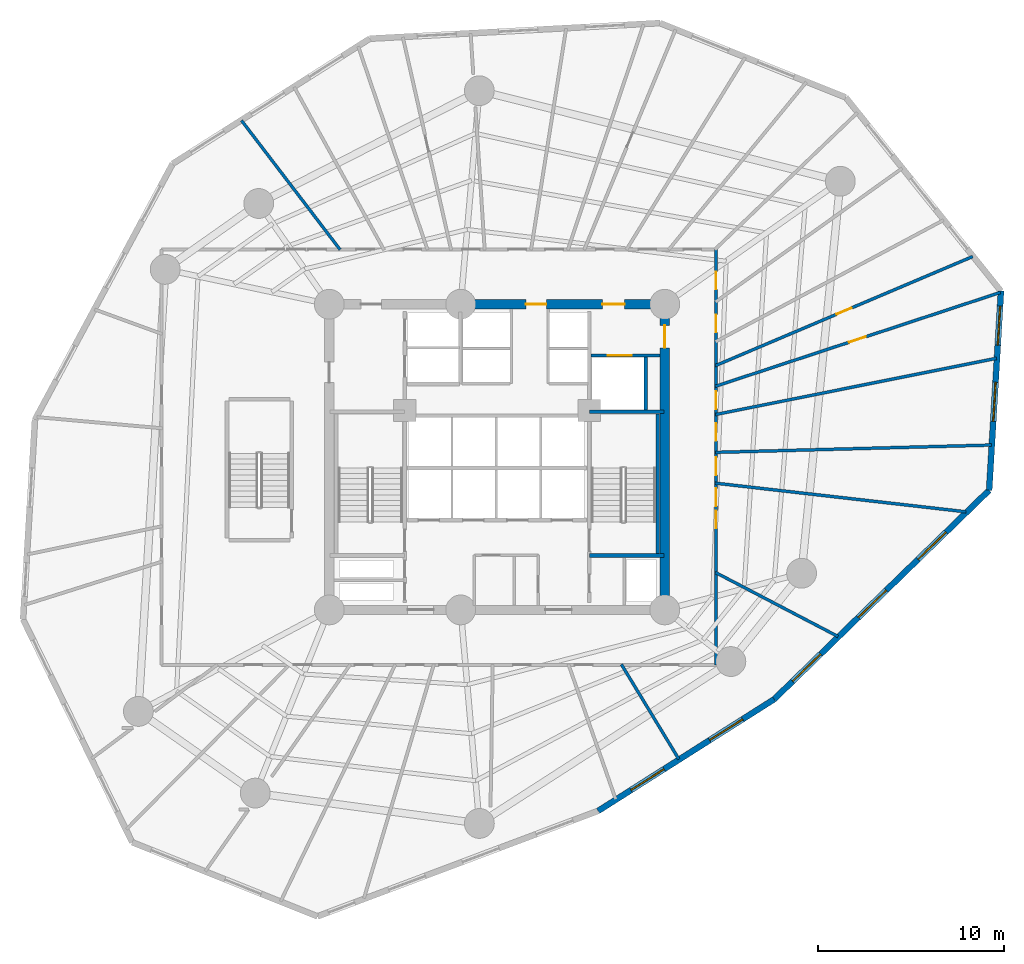
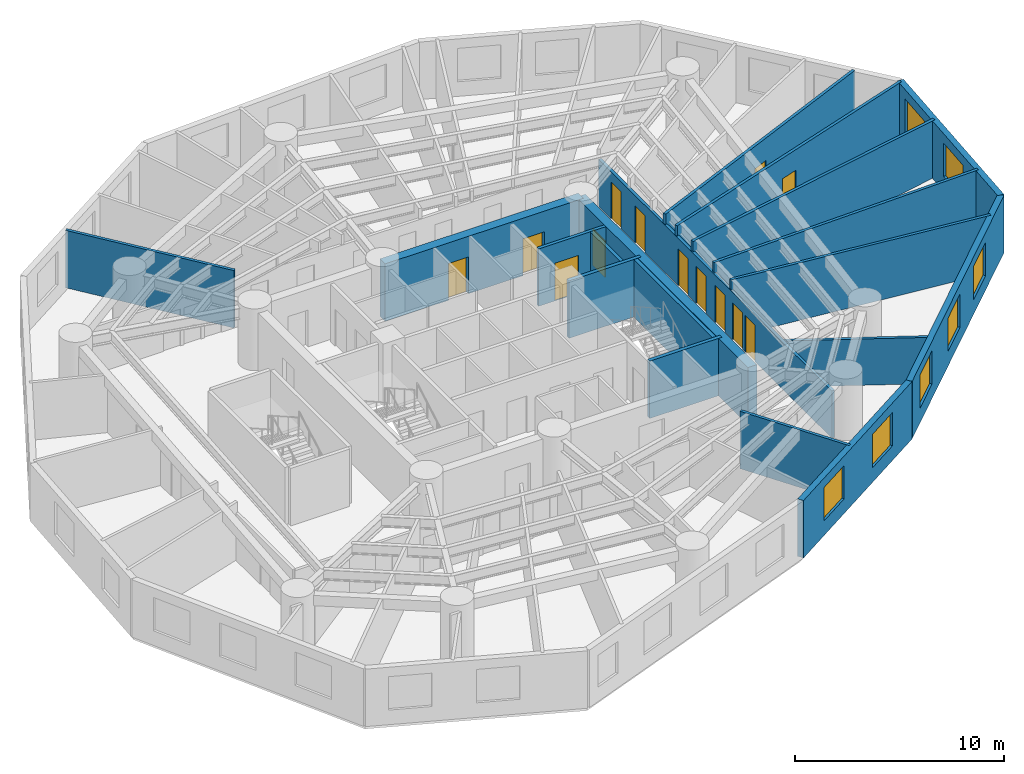
# One storey, part 5 of 8: 19 walls, 13 doors, 7 windows, 20 openings.
"""IFC4 building model written with IfcOpenShell, lengths in metres."""

from ifc_helpers import new_model, si_unit, direction, frame, frame_2d, origin, origin_with_axes, place, context, subcontext, project, spatial, rectangle, extrude, source, transform, mapped, material, layer, layer_set, type_object, element, fill, save


model = new_model("IFC4")

# Units and contexts
model_context = context("Model", 3, precision=1e-05, world=origin(), true_north=direction((0.0, 1.0)))
body_context = subcontext(model_context, "Body", "Model", "MODEL_VIEW")
ifc_project = project(units=[si_unit("LENGTHUNIT", "METRE"), si_unit("AREAUNIT", "SQUARE_METRE"), si_unit("VOLUMEUNIT", "CUBIC_METRE"), si_unit("PLANEANGLEUNIT", "RADIAN"), si_unit("MASSUNIT", "GRAM", prefix="KILO")], contexts=[model_context])

# Site, building, storey
site_placement = place(None, origin())
site = spatial("IfcSite", under=ifc_project, at=site_placement, CompositionType="ELEMENT")
building_placement = place(site_placement, origin())
building = spatial("IfcBuilding", under=site, at=building_placement, Name="Karkom Vertical University and Central Library", CompositionType="ELEMENT")
storey_placement = place(building_placement, frame((0.0, 0.0, 37.300048828125)))
storey = spatial("IfcBuildingStorey", under=building, at=storey_placement, Name="L09", CompositionType="ELEMENT", Elevation=37.300048828125)

# Wall, openings, windows
ifc_material_1 = material(Name="Brick-faced precast concrete C45/55", Category="masonry")
ifc_layer_1 = layer(ifc_material_1, 0.320068359375)
ifc_layer_set_1 = layer_set([ifc_layer_1], Name="Brick-faced precast concrete C45/55")
wall_type_1 = type_object("IfcWallType", Name="ENV-WL-BRK-320", PredefinedType="SOLIDWALL", material=ifc_layer_set_1)
wall_1_placement = place(storey_placement, frame((33.925048828125, 7.512451171875, 0.0), z_axis=(0.0, 0.0, 1.0), x_axis=(0.84433568587, 0.535814566401, 0.0)))
wall_1 = element("IfcWall", 1, at=wall_1_placement, inside=storey, type_object=wall_type_1, Name="Level 09 Brick-Faced Precast Facade Wall 07", PredefinedType="SOLIDWALL", context=body_context, shape_type="SweptSolid", body=[
    extrude(rectangle(XDim=11.18701171875, YDim=0.320068359375, at=frame_2d((5.593505859375, 0.0))), origin(), (0.0, 0.0, 1.0), 3.349853515625),
])
opening_1_placement = place(wall_1_placement, frame((2.09423828125, 0.0, 0.85009765625)))
opening_1 = element("IfcOpeningElement", 2, at=opening_1_placement, cuts=wall_1, Name="Opening WN-03", PredefinedType="OPENING", context=body_context, shape_type="SweptSolid", body=[
    extrude(rectangle(XDim=2.10009765625, YDim=1.949951171875, at=frame_2d((1.050048828125, 0.97509765625))), frame((0.0, 0.169921875, 0.0), z_axis=(0.0, -1.0, 0.0), x_axis=(1.0, 0.0, 0.0)), (0.0, 0.0, 1.0), 0.340087890625),
])
opening_2_placement = place(wall_1_placement, frame((7.0869140625, 0.0, 0.85009765625)))
opening_2 = element("IfcOpeningElement", 3, at=opening_2_placement, cuts=wall_1, Name="Opening WN-03", PredefinedType="OPENING", context=body_context, shape_type="SweptSolid", body=[
    extrude(rectangle(XDim=2.10009765625, YDim=1.949951171875, at=frame_2d((1.050048828125, 0.97509765625))), frame((0.0, 0.169921875, 0.0), z_axis=(0.0, -1.0, 0.0), x_axis=(1.0, 0.0, 0.0)), (0.0, 0.0, 1.0), 0.340087890625),
])
ifc_material_2 = material(Name="Aluminium thermal-break frame with solar-control IGU", Category="aluminium")
window_type = type_object("IfcWindowType", Name="ENV-WIN-WN-03", PartitioningType="SINGLE_PANEL", PredefinedType="WINDOW", material=ifc_material_2)
shared_shape_1 = source(origin_with_axes(), body_context, "Body", "SweptSolid", [
    extrude(rectangle(XDim=2.10009765625, YDim=1.949951171875, at=frame_2d((1.050048828125, 0.97509765625))), frame((0.0, 0.030029296875, 0.0), z_axis=(0.0, -1.0, 0.0), x_axis=(1.0, 0.0, 0.0)), (0.0, 0.0, 1.0), 0.06005859375),
])
window_1_placement = place(opening_1_placement, origin())
window_1 = element("IfcWindow", 4, at=window_1_placement, inside=storey, type_object=window_type, Name="Level 09 Punched Window 7.1", OverallHeight=1.949951171875, OverallWidth=2.10009765625, PartitioningType="SINGLE_PANEL", PredefinedType="WINDOW", context=body_context, shape_type="MappedRepresentation", body=[
    mapped(shared_shape_1, transform((0.0, 0.0, 0.0), scale=1.0)),
])
fill(opening_1, window_1)
window_2_placement = place(opening_2_placement, origin())
window_2 = element("IfcWindow", 5, at=window_2_placement, inside=storey, type_object=window_type, Name="Level 09 Punched Window 7.2", OverallHeight=1.949951171875, OverallWidth=2.10009765625, PartitioningType="SINGLE_PANEL", PredefinedType="WINDOW", context=body_context, shape_type="MappedRepresentation", body=[
    mapped(shared_shape_1, transform((0.0, 0.0, 0.0), scale=1.0)),
])
fill(opening_2, window_2)

wall_2_placement = place(storey_placement, frame((43.37060546875, 13.506591796875, 0.0), z_axis=(0.0, 0.0, 1.0), x_axis=(0.717022520436, 0.697050001928, 0.0)))
wall_2 = element("IfcWall", 6, at=wall_2_placement, inside=storey, type_object=wall_type_1, Name="Level 09 Brick-Faced Precast Facade Wall 08", PredefinedType="SOLIDWALL", context=body_context, shape_type="SweptSolid", body=[
    extrude(rectangle(XDim=16.086669921875, YDim=0.320068359375, at=frame_2d((8.04345703125, 0.0))), origin(), (0.0, 0.0, 1.0), 3.349853515625),
])
opening_3_placement = place(wall_2_placement, frame((1.375732421875, 0.0, 0.85009765625)))
opening_3 = element("IfcOpeningElement", 7, at=opening_3_placement, cuts=wall_2, Name="Opening WN-03", PredefinedType="OPENING", context=body_context, shape_type="SweptSolid", body=[
    extrude(rectangle(XDim=2.10009765625, YDim=1.949951171875, at=frame_2d((1.050048828125, 0.97509765625))), frame((0.0, 0.169921875, 0.0), z_axis=(0.0, -1.0, 0.0), x_axis=(1.0, 0.0, 0.0)), (0.0, 0.0, 1.0), 0.340087890625),
])
opening_4_placement = place(wall_2_placement, frame((6.294921875, 0.0, 0.85009765625)))
opening_4 = element("IfcOpeningElement", 8, at=opening_4_placement, cuts=wall_2, Name="Opening WN-03", PredefinedType="OPENING", context=body_context, shape_type="SweptSolid", body=[
    extrude(rectangle(XDim=2.10009765625, YDim=1.949951171875, at=frame_2d((1.050048828125, 0.97509765625))), frame((0.0, 0.169921875, 0.0), z_axis=(0.0, -1.0, 0.0), x_axis=(1.0, 0.0, 0.0)), (0.0, 0.0, 1.0), 0.340087890625),
])
opening_5_placement = place(wall_2_placement, frame((10.761962890625, 0.0, 0.85009765625)))
opening_5 = element("IfcOpeningElement", 9, at=opening_5_placement, cuts=wall_2, Name="Opening WN-03", PredefinedType="OPENING", context=body_context, shape_type="SweptSolid", body=[
    extrude(rectangle(XDim=2.10009765625, YDim=1.949951171875, at=frame_2d((1.050048828125, 0.97509765625))), frame((0.0, 0.169921875, 0.0), z_axis=(0.0, -1.0, 0.0), x_axis=(1.0, 0.0, 0.0)), (0.0, 0.0, 1.0), 0.340087890625),
])
window_3_placement = place(opening_3_placement, origin())
window_3 = element("IfcWindow", 10, at=window_3_placement, inside=storey, type_object=window_type, Name="Level 09 Punched Window 8.1", OverallHeight=1.949951171875, OverallWidth=2.10009765625, PartitioningType="SINGLE_PANEL", PredefinedType="WINDOW", context=body_context, shape_type="MappedRepresentation", body=[
    mapped(shared_shape_1, transform((0.0, 0.0, 0.0), scale=1.0)),
])
fill(opening_3, window_3)
window_4_placement = place(opening_4_placement, origin())
window_4 = element("IfcWindow", 11, at=window_4_placement, inside=storey, type_object=window_type, Name="Level 09 Punched Window 8.2", OverallHeight=1.949951171875, OverallWidth=2.10009765625, PartitioningType="SINGLE_PANEL", PredefinedType="WINDOW", context=body_context, shape_type="MappedRepresentation", body=[
    mapped(shared_shape_1, transform((0.0, 0.0, 0.0), scale=1.0)),
])
fill(opening_4, window_4)
window_5_placement = place(opening_5_placement, origin())
window_5 = element("IfcWindow", 12, at=window_5_placement, inside=storey, type_object=window_type, Name="Level 09 Punched Window 8.3", OverallHeight=1.949951171875, OverallWidth=2.10009765625, PartitioningType="SINGLE_PANEL", PredefinedType="WINDOW", context=body_context, shape_type="MappedRepresentation", body=[
    mapped(shared_shape_1, transform((0.0, 0.0, 0.0), scale=1.0)),
])
fill(opening_5, window_5)

wall_3_placement = place(storey_placement, frame((54.905029296875, 24.7197265625, 0.0), z_axis=(0.0, 0.0, 1.0), x_axis=(0.059387539257, 0.998235002482, 0.0)))
wall_3 = element("IfcWall", 13, at=wall_3_placement, inside=storey, type_object=wall_type_1, Name="Level 09 Brick-Faced Precast Facade Wall 09", PredefinedType="SOLIDWALL", context=body_context, shape_type="SweptSolid", body=[
    extrude(rectangle(XDim=10.708984375, YDim=0.320068359375, at=frame_2d((5.3544921875, 0.0))), origin(), (0.0, 0.0, 1.0), 3.349853515625),
])
opening_6_placement = place(wall_3_placement, frame((3.703125, 0.0, 0.85009765625)))
opening_6 = element("IfcOpeningElement", 14, at=opening_6_placement, cuts=wall_3, Name="Opening WN-03", PredefinedType="OPENING", context=body_context, shape_type="SweptSolid", body=[
    extrude(rectangle(XDim=2.10009765625, YDim=1.949951171875, at=frame_2d((1.050048828125, 0.97509765625))), frame((0.0, 0.169921875, 0.0), z_axis=(0.0, -1.0, 0.0), x_axis=(1.0, 0.0, 0.0)), (0.0, 0.0, 1.0), 0.340087890625),
])
opening_7_placement = place(wall_3_placement, frame((7.800537109375, 0.0, 0.85009765625)))
opening_7 = element("IfcOpeningElement", 15, at=opening_7_placement, cuts=wall_3, Name="Opening WN-03", PredefinedType="OPENING", context=body_context, shape_type="SweptSolid", body=[
    extrude(rectangle(XDim=2.10009765625, YDim=1.949951171875, at=frame_2d((1.050048828125, 0.97509765625))), frame((0.0, 0.169921875, 0.0), z_axis=(0.0, -1.0, 0.0), x_axis=(1.0, 0.0, 0.0)), (0.0, 0.0, 1.0), 0.340087890625),
])
window_6_placement = place(opening_6_placement, origin())
window_6 = element("IfcWindow", 16, at=window_6_placement, inside=storey, type_object=window_type, Name="Level 09 Punched Window 9.1", OverallHeight=1.949951171875, OverallWidth=2.10009765625, PartitioningType="SINGLE_PANEL", PredefinedType="WINDOW", context=body_context, shape_type="MappedRepresentation", body=[
    mapped(shared_shape_1, transform((0.0, 0.0, 0.0), scale=1.0)),
])
fill(opening_6, window_6)
window_7_placement = place(opening_7_placement, origin())
window_7 = element("IfcWindow", 17, at=window_7_placement, inside=storey, type_object=window_type, Name="Level 09 Punched Window 9.2", OverallHeight=1.949951171875, OverallWidth=2.10009765625, PartitioningType="SINGLE_PANEL", PredefinedType="WINDOW", context=body_context, shape_type="MappedRepresentation", body=[
    mapped(shared_shape_1, transform((0.0, 0.0, 0.0), scale=1.0)),
])
fill(opening_7, window_7)

# Wall, openings, doors
ifc_material_3 = material(Name="Insulated metal-stud drywall 160mm", Category="gypsum")
ifc_layer_2 = layer(ifc_material_3, 0.159912109375)
ifc_layer_set_2 = layer_set([ifc_layer_2], Name="Insulated metal-stud drywall 160mm")
wall_type_2 = type_object("IfcWallType", Name="INT-WL-COR-160", PredefinedType="PARTITIONING", material=ifc_layer_set_2)
wall_4_placement = place(storey_placement, frame((40.25, 37.64990234375, 0.0), z_axis=(0.0, 0.0, 1.0), x_axis=(0.0, -1.0, 0.0)))
wall_4 = element("IfcWall", 18, at=wall_4_placement, inside=storey, type_object=wall_type_2, Name="Level 09 Interior Partition Wall Level 09-CORW-CW-004", PredefinedType="PARTITIONING", context=body_context, shape_type="SweptSolid", body=[
    extrude(rectangle(XDim=22.2998046875, YDim=0.159912109375, at=frame_2d((11.14990234375, 0.0))), origin(), (0.0, 0.0, 1.0), 2.75),
])
opening_8_placement = place(wall_4_placement, frame((14.02001953125, 0.0, 0.0)))
opening_8 = element("IfcOpeningElement", 19, at=opening_8_placement, cuts=wall_4, Name="Opening D-RM1", PredefinedType="OPENING", context=body_context, shape_type="SweptSolid", body=[
    extrude(rectangle(XDim=0.949951171875, YDim=2.14990234375, at=frame_2d((0.47509765625, 1.074951171875))), frame((0.0, 0.08984375, 0.0), z_axis=(0.0, -1.0, 0.0), x_axis=(1.0, 0.0, 0.0)), (0.0, 0.0, 1.0), 0.179931640625),
])
opening_9_placement = place(wall_4_placement, frame((11.1650390625, 0.0, 0.0)))
opening_9 = element("IfcOpeningElement", 20, at=opening_9_placement, cuts=wall_4, Name="Opening D-RM1", PredefinedType="OPENING", context=body_context, shape_type="SweptSolid", body=[
    extrude(rectangle(XDim=0.949951171875, YDim=2.14990234375, at=frame_2d((0.47509765625, 1.074951171875))), frame((0.0, 0.08984375, 0.0), z_axis=(0.0, -1.0, 0.0), x_axis=(1.0, 0.0, 0.0)), (0.0, 0.0, 1.0), 0.179931640625),
])
opening_10_placement = place(wall_4_placement, frame((9.335205078125, 0.0, 0.0)))
opening_10 = element("IfcOpeningElement", 21, at=opening_10_placement, cuts=wall_4, Name="Opening D-RM1", PredefinedType="OPENING", context=body_context, shape_type="SweptSolid", body=[
    extrude(rectangle(XDim=0.949951171875, YDim=2.14990234375, at=frame_2d((0.47509765625, 1.074951171875))), frame((0.0, 0.08984375, 0.0), z_axis=(0.0, -1.0, 0.0), x_axis=(1.0, 0.0, 0.0)), (0.0, 0.0, 1.0), 0.179931640625),
])
opening_11_placement = place(wall_4_placement, frame((7.6201171875, 0.0, 0.0)))
opening_11 = element("IfcOpeningElement", 22, at=opening_11_placement, cuts=wall_4, Name="Opening D-RM1", PredefinedType="OPENING", context=body_context, shape_type="SweptSolid", body=[
    extrude(rectangle(XDim=0.949951171875, YDim=2.14990234375, at=frame_2d((0.47509765625, 1.074951171875))), frame((0.0, 0.08984375, 0.0), z_axis=(0.0, -1.0, 0.0), x_axis=(1.0, 0.0, 0.0)), (0.0, 0.0, 1.0), 0.179931640625),
])
opening_12_placement = place(wall_4_placement, frame((3.510009765625, 0.0, 0.0)))
opening_12 = element("IfcOpeningElement", 23, at=opening_12_placement, cuts=wall_4, Name="Opening D-RM1", PredefinedType="OPENING", context=body_context, shape_type="SweptSolid", body=[
    extrude(rectangle(XDim=0.949951171875, YDim=2.14990234375, at=frame_2d((0.47509765625, 1.074951171875))), frame((0.0, 0.08984375, 0.0), z_axis=(0.0, -1.0, 0.0), x_axis=(1.0, 0.0, 0.0)), (0.0, 0.0, 1.0), 0.179931640625),
])
opening_13_placement = place(wall_4_placement, frame((1.19580078125, 0.0, 0.0)))
opening_13 = element("IfcOpeningElement", 24, at=opening_13_placement, cuts=wall_4, Name="Opening D-RM1", PredefinedType="OPENING", context=body_context, shape_type="SweptSolid", body=[
    extrude(rectangle(XDim=0.949951171875, YDim=2.14990234375, at=frame_2d((0.47509765625, 1.074951171875))), frame((0.0, 0.08984375, 0.0), z_axis=(0.0, -1.0, 0.0), x_axis=(1.0, 0.0, 0.0)), (0.0, 0.0, 1.0), 0.179931640625),
])
opening_14_placement = place(wall_4_placement, frame((12.826904296875, 0.0, 0.0)))
opening_14 = element("IfcOpeningElement", 25, at=opening_14_placement, cuts=wall_4, Name="Opening D-RM1", PredefinedType="OPENING", context=body_context, shape_type="SweptSolid", body=[
    extrude(rectangle(XDim=0.949951171875, YDim=2.14990234375, at=frame_2d((0.47509765625, 1.074951171875))), frame((0.0, 0.08984375, 0.0), z_axis=(0.0, -1.0, 0.0), x_axis=(1.0, 0.0, 0.0)), (0.0, 0.0, 1.0), 0.179931640625),
])
ifc_material_4 = material(Name="Solid-core oak veneer door", Category="wood")
door_type_1 = type_object("IfcDoorType", Name="INT-DR-RM1", OperationType="NOTDEFINED", PredefinedType="DOOR", material=ifc_material_4)
shared_shape_2 = source(origin_with_axes(), body_context, "Body", "SweptSolid", [
    extrude(rectangle(XDim=0.949951171875, YDim=2.14990234375, at=frame_2d((0.47509765625, 1.074951171875))), frame((0.0, 0.02490234375, 0.0), z_axis=(0.0, -1.0, 0.0), x_axis=(1.0, 0.0, 0.0)), (0.0, 0.0, 1.0), 0.050048828125),
])
door_1_placement = place(opening_8_placement, origin())
door_1 = element("IfcDoor", 26, at=door_1_placement, inside=storey, type_object=door_type_1, Name="Level 09 Room Entry Door 110", OperationType="SINGLE_SWING_LEFT", OverallHeight=2.14990234375, OverallWidth=0.949951171875, PredefinedType="DOOR", context=body_context, shape_type="MappedRepresentation", body=[
    mapped(shared_shape_2, transform((0.0, 0.0, 0.0), scale=1.0)),
])
fill(opening_8, door_1)
door_2_placement = place(opening_9_placement, origin())
door_2 = element("IfcDoor", 27, at=door_2_placement, inside=storey, type_object=door_type_1, Name="Level 09 Room Entry Door 120", OperationType="SINGLE_SWING_RIGHT", OverallHeight=2.14990234375, OverallWidth=0.949951171875, PredefinedType="DOOR", context=body_context, shape_type="MappedRepresentation", body=[
    mapped(shared_shape_2, transform((0.0, 0.0, 0.0), scale=1.0)),
])
fill(opening_9, door_2)
door_3_placement = place(opening_10_placement, origin())
door_3 = element("IfcDoor", 28, at=door_3_placement, inside=storey, type_object=door_type_1, Name="Level 09 Room Entry Door 130", OperationType="SINGLE_SWING_LEFT", OverallHeight=2.14990234375, OverallWidth=0.949951171875, PredefinedType="DOOR", context=body_context, shape_type="MappedRepresentation", body=[
    mapped(shared_shape_2, transform((0.0, 0.0, 0.0), scale=1.0)),
])
fill(opening_10, door_3)
door_4_placement = place(opening_11_placement, origin())
door_4 = element("IfcDoor", 29, at=door_4_placement, inside=storey, type_object=door_type_1, Name="Level 09 Room Entry Door 140", OperationType="SINGLE_SWING_RIGHT", OverallHeight=2.14990234375, OverallWidth=0.949951171875, PredefinedType="DOOR", context=body_context, shape_type="MappedRepresentation", body=[
    mapped(shared_shape_2, transform((0.0, 0.0, 0.0), scale=1.0)),
])
fill(opening_11, door_4)
door_5_placement = place(opening_12_placement, origin())
door_5 = element("IfcDoor", 30, at=door_5_placement, inside=storey, type_object=door_type_1, Name="Level 09 Room Entry Door 160", OperationType="SINGLE_SWING_LEFT", OverallHeight=2.14990234375, OverallWidth=0.949951171875, PredefinedType="DOOR", context=body_context, shape_type="MappedRepresentation", body=[
    mapped(shared_shape_2, transform((0.0, 0.0, 0.0), scale=1.0)),
])
fill(opening_12, door_5)
door_6_placement = place(opening_13_placement, origin())
door_6 = element("IfcDoor", 31, at=door_6_placement, inside=storey, type_object=door_type_1, Name="Level 09 Room Entry Door 170", OperationType="SINGLE_SWING_RIGHT", OverallHeight=2.14990234375, OverallWidth=0.949951171875, PredefinedType="DOOR", context=body_context, shape_type="MappedRepresentation", body=[
    mapped(shared_shape_2, transform((0.0, 0.0, 0.0), scale=1.0)),
])
fill(opening_13, door_6)
door_7_placement = place(opening_14_placement, origin())
door_7 = element("IfcDoor", 32, at=door_7_placement, inside=storey, type_object=door_type_1, Name="Level 09 Room Entry Door 180", OperationType="SINGLE_SWING_LEFT", OverallHeight=2.14990234375, OverallWidth=0.949951171875, PredefinedType="DOOR", context=body_context, shape_type="MappedRepresentation", body=[
    mapped(shared_shape_2, transform((0.0, 0.0, 0.0), scale=1.0)),
])
fill(opening_14, door_7)

# Wall, opening, door
wall_5_placement = place(storey_placement, frame((40.207275390625, 30.294189453125, 0.0), z_axis=(0.0, 0.0, 1.0), x_axis=(0.949765847345, 0.312961395731, 0.0)))
wall_5 = element("IfcWall", 33, at=wall_5_placement, inside=storey, type_object=wall_type_2, Name="Level 09 Interior Partition Wall Level 09-PW-020", PredefinedType="PARTITIONING", context=body_context, shape_type="SweptSolid", body=[
    extrude(rectangle(XDim=16.109130859375, YDim=0.159912109375, at=frame_2d((8.0546875, 0.0))), origin(), (0.0, 0.0, 1.0), 3.349853515625),
])
opening_15_placement = place(wall_5_placement, frame((7.554443359375, 0.0, 0.0)))
opening_15 = element("IfcOpeningElement", 34, at=opening_15_placement, cuts=wall_5, Name="Opening D-RM1", PredefinedType="OPENING", context=body_context, shape_type="SweptSolid", body=[
    extrude(rectangle(XDim=0.949951171875, YDim=2.14990234375, at=frame_2d((0.47509765625, 1.074951171875))), frame((0.0, 0.08984375, 0.0), z_axis=(0.0, -1.0, 0.0), x_axis=(1.0, 0.0, 0.0)), (0.0, 0.0, 1.0), 0.179931640625),
])
door_8_placement = place(opening_15_placement, origin())
door_8 = element("IfcDoor", 35, at=door_8_placement, inside=storey, type_object=door_type_1, Name="Level 09 Room Entry Door 150", OperationType="SINGLE_SWING_RIGHT", OverallHeight=2.14990234375, OverallWidth=0.949951171875, PredefinedType="DOOR", context=body_context, shape_type="MappedRepresentation", body=[
    mapped(shared_shape_2, transform((0.0, 0.0, 0.0), scale=1.0)),
])
fill(opening_15, door_8)

# Wall
wall_6_placement = place(storey_placement, frame((40.220703125, 28.783203125, 0.0), z_axis=(0.0, 0.0, 1.0), x_axis=(0.980575179445, 0.196143614366, 0.0)))
element("IfcWall", 36, at=wall_6_placement, inside=storey, type_object=wall_type_2, Name="Level 09 Interior Partition Wall Level 09-PW-019", PredefinedType="PARTITIONING", context=body_context, shape_type="SweptSolid", body=[
    extrude(rectangle(XDim=15.376953125, YDim=0.159912109375, at=frame_2d((7.6884765625, 0.0))), origin(), (0.0, 0.0, 1.0), 3.349853515625),
])

# Wall, opening, door
wall_7_placement = place(storey_placement, frame((40.20849609375, 31.40087890625, 0.0), z_axis=(0.0, 0.0, 1.0), x_axis=(0.920610495779, 0.390482157162, 0.0)))
wall_7 = element("IfcWall", 37, at=wall_7_placement, inside=storey, type_object=wall_type_2, Name="Level 09 Interior Partition Wall Level 09-PW-021", PredefinedType="PARTITIONING", context=body_context, shape_type="SweptSolid", body=[
    extrude(rectangle(XDim=15.00537109375, YDim=0.159912109375, at=frame_2d((7.502685546875, 0.0))), origin(), (0.0, 0.0, 1.0), 3.349853515625),
])
opening_16_placement = place(wall_7_placement, frame((7.07275390625, 0.0, 0.0)))
opening_16 = element("IfcOpeningElement", 38, at=opening_16_placement, cuts=wall_7, Name="Opening FD-BTH2", PredefinedType="OPENING", context=body_context, shape_type="SweptSolid", body=[
    extrude(rectangle(XDim=0.860107421875, YDim=2.0400390625, at=frame_2d((0.43017578125, 1.02001953125))), frame((0.0, 0.08984375, 0.0), z_axis=(0.0, -1.0, 0.0), x_axis=(1.0, 0.0, 0.0)), (0.0, 0.0, 1.0), 0.179931640625),
])
ifc_material_5 = material(Name="Fire-rated moisture-resistant oak door", Category="wood")
door_type_2 = type_object("IfcDoorType", Name="INT-DR-FBTH2", OperationType="NOTDEFINED", PredefinedType="DOOR", material=ifc_material_5)
shared_shape_3 = source(origin_with_axes(), body_context, "Body", "SweptSolid", [
    extrude(rectangle(XDim=0.860107421875, YDim=2.0400390625, at=frame_2d((0.43017578125, 1.02001953125))), frame((0.0, 0.02490234375, 0.0), z_axis=(0.0, -1.0, 0.0), x_axis=(1.0, 0.0, 0.0)), (0.0, 0.0, 1.0), 0.050048828125),
])
door_9_placement = place(opening_16_placement, origin())
door_9 = element("IfcDoor", 39, at=door_9_placement, inside=storey, type_object=door_type_2, Name="Level 09 Academic Collaborative Study Lounge Entry Door", OperationType="SINGLE_SWING_LEFT", OverallHeight=2.0400390625, OverallWidth=0.860107421875, PredefinedType="DOOR", context=body_context, shape_type="MappedRepresentation", body=[
    mapped(shared_shape_3, transform((0.0, 0.0, 0.0), scale=1.0)),
])
fill(opening_16, door_9)

# Walls
wall_8_placement = place(storey_placement, frame((40.219970703125, 26.75146484375, 0.0), z_axis=(0.0, 0.0, 1.0), x_axis=(0.999647270715, 0.026558127793, 0.0)))
element("IfcWall", 40, at=wall_8_placement, inside=storey, type_object=wall_type_2, Name="Level 09 Interior Partition Wall Level 09-PW-018", PredefinedType="PARTITIONING", context=body_context, shape_type="SweptSolid", body=[
    extrude(rectangle(XDim=14.809326171875, YDim=0.159912109375, at=frame_2d((7.40478515625, 0.0))), origin(), (0.0, 0.0, 1.0), 3.349853515625),
])
wall_9_placement = place(storey_placement, frame((40.205322265625, 25.101806640625, 0.0), z_axis=(0.0, 0.0, 1.0), x_axis=(0.99353052235, -0.113565404763, 0.0)))
element("IfcWall", 41, at=wall_9_placement, inside=storey, type_object=wall_type_2, Name="Level 09 Interior Partition Wall Level 09-PW-017", PredefinedType="PARTITIONING", context=body_context, shape_type="SweptSolid", body=[
    extrude(rectangle(XDim=13.54150390625, YDim=0.159912109375, at=frame_2d((6.770751953125, 0.0))), origin(), (0.0, 0.0, 1.0), 3.349853515625),
])
wall_10_placement = place(storey_placement, frame((20.082275390625, 37.626220703125, 0.0), z_axis=(0.0, 0.0, 1.0), x_axis=(-0.606773412063, 0.794874849529, 0.0)))
element("IfcWall", 42, at=wall_10_placement, inside=storey, type_object=wall_type_2, Name="Level 09 Interior Partition Wall Level 09-PW-035", PredefinedType="PARTITIONING", context=body_context, shape_type="SweptSolid", body=[
    extrude(rectangle(XDim=8.720703125, YDim=0.159912109375, at=frame_2d((4.3603515625, 0.0))), origin(), (0.0, 0.0, 1.0), 3.349853515625),
])
wall_11_placement = place(storey_placement, frame((40.210205078125, 20.314208984375, 0.0), z_axis=(0.0, 0.0, 1.0), x_axis=(0.886339185186, -0.463036552341, 0.0)))
element("IfcWall", 43, at=wall_11_placement, inside=storey, type_object=wall_type_2, Name="Level 09 Interior Partition Wall Level 09-PW-016", PredefinedType="PARTITIONING", context=body_context, shape_type="SweptSolid", body=[
    extrude(rectangle(XDim=7.428466796875, YDim=0.159912109375, at=frame_2d((3.71435546875, 0.0))), origin(), (0.0, 0.0, 1.0), 2.699951171875),
])
wall_12_placement = place(storey_placement, frame((35.17431640625, 15.375732421875, 0.0), z_axis=(0.0, 0.0, 1.0), x_axis=(0.518427290482, -0.855121713257, 0.0)))
element("IfcWall", 44, at=wall_12_placement, inside=storey, type_object=wall_type_2, Name="Level 09 Interior Partition Wall Level 09-PW-015", PredefinedType="PARTITIONING", context=body_context, shape_type="SweptSolid", body=[
    extrude(rectangle(XDim=5.94580078125, YDim=0.159912109375, at=frame_2d((2.972900390625, 0.0))), origin(), (0.0, 0.0, 1.0), 3.349853515625),
])

# Wall, opening, door
ifc_material_6 = material(Name="Twin-stud acoustic drywall 180mm", Category="gypsum")
ifc_layer_3 = layer(ifc_material_6, 0.179931640625)
ifc_layer_set_3 = layer_set([ifc_layer_3], Name="Twin-stud acoustic drywall 180mm")
wall_type_3 = type_object("IfcWallType", Name="INT-WL-TEN-180F", PredefinedType="PARTITIONING", material=ifc_layer_set_3)
wall_13_placement = place(storey_placement, frame((33.534912109375, 31.949951171875, 0.0), z_axis=(0.0, 0.0, 1.0), x_axis=(1.0, 0.0, 0.0)))
wall_13 = element("IfcWall", 45, at=wall_13_placement, inside=storey, type_object=wall_type_3, Name="Level 09 Interior Partition Wall Level 09-CW-SVL-N", PredefinedType="PARTITIONING", context=body_context, shape_type="SweptSolid", body=[
    extrude(rectangle(XDim=3.708740234375, YDim=0.179931640625, at=frame_2d((1.8544921875, 0.0))), origin(), (0.0, 0.0, 1.0), 3.349853515625),
])
opening_17_placement = place(wall_13_placement, frame((0.89990234375, 0.0, 0.0)))
opening_17 = element("IfcOpeningElement", 46, at=opening_17_placement, cuts=wall_13, Name="Opening LD-SV1", PredefinedType="OPENING", context=body_context, shape_type="SweptSolid", body=[
    extrude(rectangle(XDim=1.300048828125, YDim=2.199951171875, at=frame_2d((0.64990234375, 1.10009765625))), frame((0.0, 0.10009765625, 0.0), z_axis=(0.0, -1.0, 0.0), x_axis=(1.0, 0.0, 0.0)), (0.0, 0.0, 1.0), 0.199951171875),
])
ifc_material_7 = material(Name="Brushed stainless-steel landing door", Category="steel")
door_type_3 = type_object("IfcDoorType", Name="INT-DR-LD-SV1", OperationType="SLIDING_TO_LEFT", PredefinedType="DOOR", material=ifc_material_7)
shared_shape_4 = source(origin_with_axes(), body_context, "Body", "SweptSolid", [
    extrude(rectangle(XDim=1.300048828125, YDim=2.199951171875, at=frame_2d((0.64990234375, 1.10009765625))), frame((0.0, 0.02490234375, 0.0), z_axis=(0.0, -1.0, 0.0), x_axis=(1.0, 0.0, 0.0)), (0.0, 0.0, 1.0), 0.050048828125),
])
door_10_placement = place(opening_17_placement, origin())
door_10 = element("IfcDoor", 47, at=door_10_placement, inside=storey, type_object=door_type_3, Name="Level 09 Service Lift Landing Door LD-SV1", OperationType="SLIDING_TO_LEFT", OverallHeight=2.199951171875, OverallWidth=1.300048828125, PredefinedType="DOOR", context=body_context, shape_type="MappedRepresentation", body=[
    mapped(shared_shape_4, transform((0.0, 0.0, 0.0), scale=1.0)),
])
fill(opening_17, door_10)

ifc_material_8 = material(Name="Concrete C50/60", Category="concrete")
ifc_layer_4 = layer(ifc_material_8, 0.5)
ifc_layer_set_4 = layer_set([ifc_layer_4], Name="Concrete C50/60")
wall_type_4 = type_object("IfcWallType", Name="STR-WL-CW-500", PredefinedType="SHEAR", material=ifc_layer_set_4)
wall_14_placement = place(storey_placement, frame((37.5, 18.300048828125, 0.0), z_axis=(0.0, 0.0, 1.0), x_axis=(0.0, 1.0, 0.0)))
wall_14 = element("IfcWall", 48, at=wall_14_placement, inside=storey, type_object=wall_type_4, Name="Level 09 Central Core Shear Wall EW", PredefinedType="SHEAR", context=body_context, shape_type="SweptSolid", body=[
    extrude(rectangle(XDim=16.39990234375, YDim=0.5, at=frame_2d((8.199951171875, 0.0))), origin(), (0.0, 0.0, 1.0), 3.349853515625),
])
opening_18_placement = place(wall_14_placement, frame((14.06005859375, 0.0, 0.0)))
opening_18 = element("IfcOpeningElement", 49, at=opening_18_placement, cuts=wall_14, Name="Opening FD-SUB1", PredefinedType="OPENING", context=body_context, shape_type="SweptSolid", body=[
    extrude(rectangle(XDim=1.199951171875, YDim=2.14990234375, at=frame_2d((0.60009765625, 1.074951171875))), frame((0.0, 0.260009765625, 0.0), z_axis=(0.0, -1.0, 0.0), x_axis=(1.0, 0.0, 0.0)), (0.0, 0.0, 1.0), 0.52001953125),
])
ifc_material_9 = material(Name="Painted steel fire door", Category="steel")
door_type_4 = type_object("IfcDoorType", Name="INT-DR-SUB1", OperationType="NOTDEFINED", PredefinedType="DOOR", material=ifc_material_9)
shared_shape_5 = source(origin_with_axes(), body_context, "Body", "SweptSolid", [
    extrude(rectangle(XDim=1.199951171875, YDim=2.14990234375, at=frame_2d((0.60009765625, 1.074951171875))), frame((0.0, 0.02490234375, 0.0), z_axis=(0.0, -1.0, 0.0), x_axis=(1.0, 0.0, 0.0)), (0.0, 0.0, 1.0), 0.050048828125),
])
door_11_placement = place(opening_18_placement, origin())
door_11 = element("IfcDoor", 50, at=door_11_placement, inside=storey, type_object=door_type_4, Name="Level 09 East Corridor Service Lobby Door", OperationType="SINGLE_SWING_LEFT", OverallHeight=2.14990234375, OverallWidth=1.199951171875, PredefinedType="DOOR", context=body_context, shape_type="MappedRepresentation", body=[
    mapped(shared_shape_5, transform((0.0, 0.0, 0.0), scale=1.0)),
])
fill(opening_18, door_11)

# Wall, openings, doors
wall_15_placement = place(storey_placement, frame((37.5, 34.699951171875, 0.0), z_axis=(0.0, 0.0, 1.0), x_axis=(-1.0, 0.0, 0.0)))
wall_15 = element("IfcWall", 51, at=wall_15_placement, inside=storey, type_object=wall_type_4, Name="Level 09 Central Core Shear Wall NW1", PredefinedType="SHEAR", context=body_context, shape_type="SweptSolid", body=[
    extrude(rectangle(XDim=10.949951171875, YDim=0.5, at=frame_2d((5.47509765625, 0.0))), origin(), (0.0, 0.0, 1.0), 3.349853515625),
])
opening_19_placement = place(wall_15_placement, frame((2.14990234375, 0.0, 0.0)))
opening_19 = element("IfcOpeningElement", 52, at=opening_19_placement, cuts=wall_15, Name="Opening FD-SUB1", PredefinedType="OPENING", context=body_context, shape_type="SweptSolid", body=[
    extrude(rectangle(XDim=1.199951171875, YDim=2.14990234375, at=frame_2d((0.60009765625, 1.074951171875))), frame((0.0, 0.260009765625, 0.0), z_axis=(0.0, -1.0, 0.0), x_axis=(1.0, 0.0, 0.0)), (0.0, 0.0, 1.0), 0.52001953125),
])
opening_20_placement = place(wall_15_placement, frame((6.35009765625, 0.0, 0.0)))
opening_20 = element("IfcOpeningElement", 53, at=opening_20_placement, cuts=wall_15, Name="Opening FD-FFL", PredefinedType="OPENING", context=body_context, shape_type="SweptSolid", body=[
    extrude(rectangle(XDim=1.10009765625, YDim=2.14990234375, at=frame_2d((0.550048828125, 1.074951171875))), frame((0.0, 0.260009765625, 0.0), z_axis=(0.0, -1.0, 0.0), x_axis=(1.0, 0.0, 0.0)), (0.0, 0.0, 1.0), 0.52001953125),
])
ifc_material_10 = material(Name="Painted steel smoke-seal fire door", Category="steel")
door_type_5 = type_object("IfcDoorType", Name="INT-DR-FFL", OperationType="NOTDEFINED", PredefinedType="DOOR", material=ifc_material_10)
shared_shape_6 = source(origin_with_axes(), body_context, "Body", "SweptSolid", [
    extrude(rectangle(XDim=1.10009765625, YDim=2.14990234375, at=frame_2d((0.550048828125, 1.074951171875))), frame((0.0, 0.02490234375, 0.0), z_axis=(0.0, -1.0, 0.0), x_axis=(1.0, 0.0, 0.0)), (0.0, 0.0, 1.0), 0.050048828125),
])
door_12_placement = place(opening_20_placement, origin())
door_12 = element("IfcDoor", 54, at=door_12_placement, inside=storey, type_object=door_type_5, Name="Level 09 North Core Lobby Exit Door", OperationType="SINGLE_SWING_RIGHT", OverallHeight=2.14990234375, OverallWidth=1.10009765625, PredefinedType="DOOR", context=body_context, shape_type="MappedRepresentation", body=[
    mapped(shared_shape_6, transform((0.0, 0.0, 0.0), scale=1.0)),
])
fill(opening_20, door_12)
door_13_placement = place(opening_19_placement, origin())
door_13 = element("IfcDoor", 55, at=door_13_placement, inside=storey, type_object=door_type_4, Name="Level 09 Service Lobby Fire Door", OperationType="SINGLE_SWING_RIGHT", OverallHeight=2.14990234375, OverallWidth=1.199951171875, PredefinedType="DOOR", context=body_context, shape_type="MappedRepresentation", body=[
    mapped(shared_shape_5, transform((0.0, 0.0, 0.0), scale=1.0)),
])
fill(opening_19, door_13)

# Walls
ifc_material_11 = material(Name="Concrete C45/55", Category="concrete")
ifc_layer_5 = layer(ifc_material_11, 0.199951171875)
ifc_layer_set_5 = layer_set([ifc_layer_5], Name="Concrete C45/55")
wall_type_5 = type_object("IfcWallType", Name="STR-WL-ST-200", PredefinedType="SHEAR", material=ifc_layer_set_5)
wall_16_placement = place(storey_placement, frame((37.125, 21.320068359375, 0.0), z_axis=(0.0, 0.0, 1.0), x_axis=(0.0, 1.0, 0.0)))
element("IfcWall", 56, at=wall_16_placement, inside=storey, type_object=wall_type_5, Name="Level 09 Core Shaft Wall Level 09-CW-ST2-E", PredefinedType="SHEAR", context=body_context, shape_type="SweptSolid", body=[
    extrude(rectangle(XDim=7.5, YDim=0.199951171875, at=frame_2d((3.75, 0.0))), origin(), (0.0, 0.0, 1.0), 3.349853515625),
])
for number, where, z_axis, x_axis, name in (
    (57, (33.455078125, 21.215087890625, 0.0), (0.0, 0.0, 1.0), (1.0, 0.0, 0.0), "Level 09 Core Shaft Wall Level 09-CW-ST2-S"),
    (58, (33.455078125, 28.925048828125, 0.0), (0.0, 0.0, 1.0), (1.0, 0.0, 0.0), "Level 09 Core Shaft Wall Level 09-CW-ST2-N"),
):
    element("IfcWall", number, at=place(storey_placement, frame(where, z_axis=z_axis, x_axis=x_axis)), inside=storey, type_object=wall_type_5, Name=name, PredefinedType="SHEAR", context=body_context, shape_type="SweptSolid", body=[
        extrude(rectangle(XDim=3.994873046875, YDim=0.199951171875, at=frame_2d((1.99755859375, 0.0))), origin(), (0.0, 0.0, 1.0), 3.349853515625),
    ])
wall_17_placement = place(storey_placement, frame((36.47998046875, 29.02001953125, 0.0), z_axis=(0.0, 0.0, 1.0), x_axis=(0.0, 1.0, 0.0)))
element("IfcWall", 59, at=wall_17_placement, inside=storey, type_object=wall_type_5, Name="Level 09 Core Shaft Wall Level 09-CW-SVL-E", PredefinedType="SHEAR", context=body_context, shape_type="SweptSolid", body=[
    extrude(rectangle(XDim=2.85986328125, YDim=0.199951171875, at=frame_2d((1.429931640625, 0.0))), origin(), (0.0, 0.0, 1.0), 3.349853515625),
])

save(model, "model.ifc")
